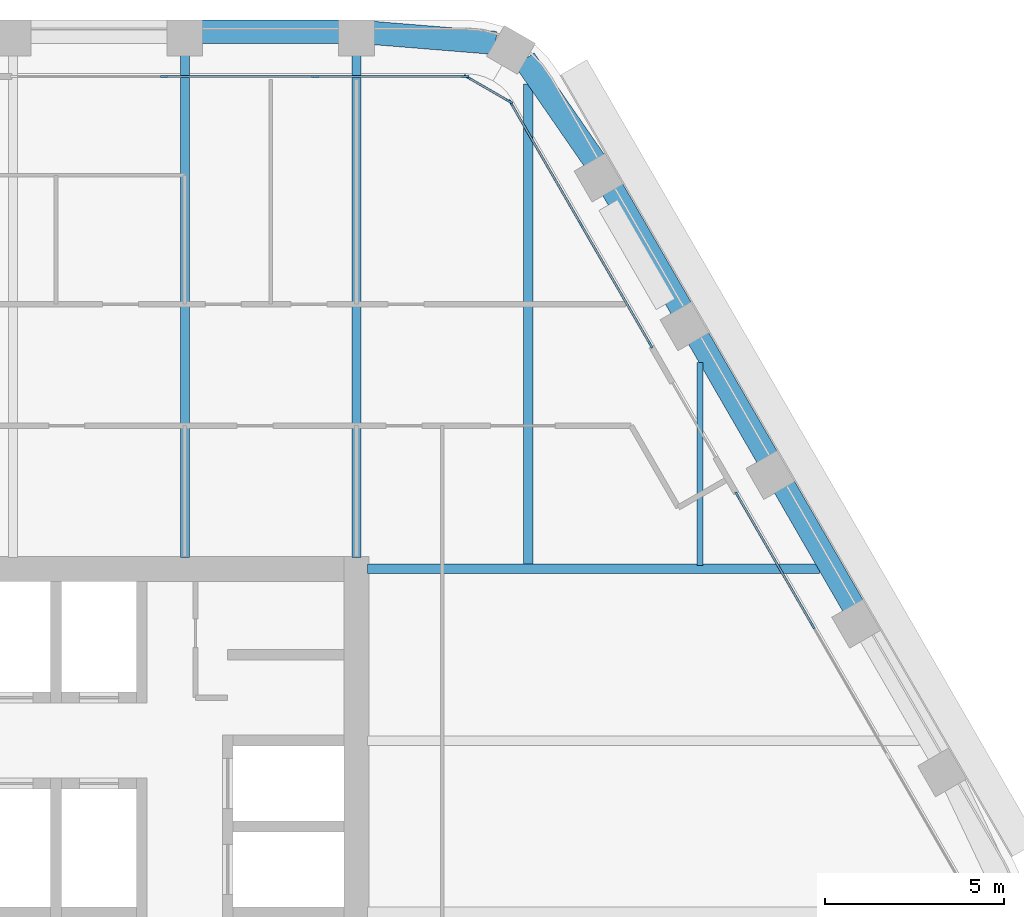
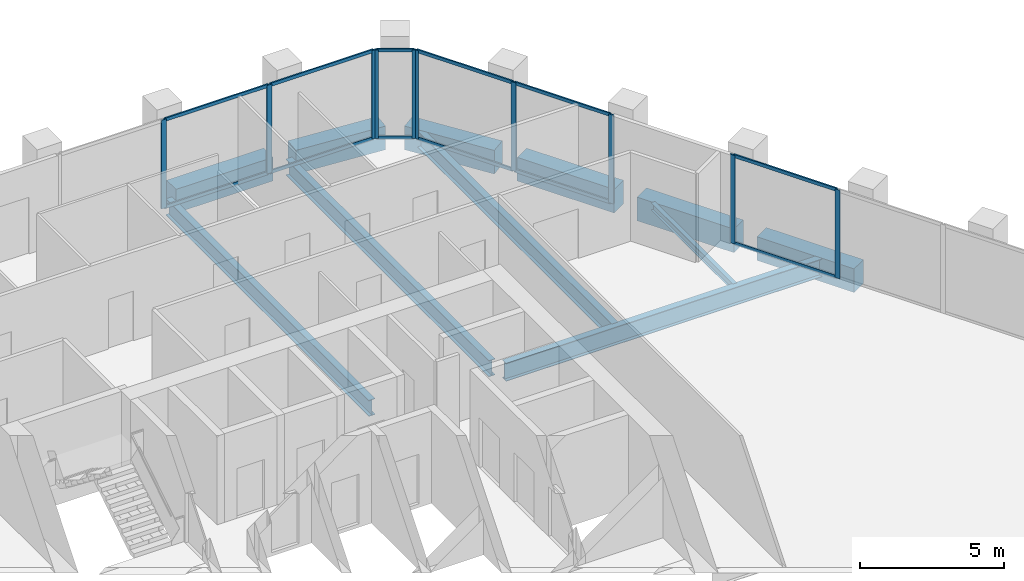
# One storey, part 6 of 15: 22 members, 11 beams, 4 elements without a shape of their own.
"""IFC4 building model written with IfcOpenShell, lengths in metres."""

from ifc_helpers import new_model, si_unit, direction, frame, origin, origin_2d, place, context, subcontext, project, spatial, rectangle, i_section, extrude, material, material_profile, profile_set, type_object, element, aggregate, save


model = new_model("IFC4")

# Units and contexts
model_context = context("Model", 3, precision=1e-05, world=origin(), true_north=direction((0.0, 1.0)))
body_context = subcontext(model_context, "Body", "Model", "MODEL_VIEW")
ifc_project = project(units=[si_unit("LENGTHUNIT", "METRE"), si_unit("AREAUNIT", "SQUARE_METRE"), si_unit("VOLUMEUNIT", "CUBIC_METRE"), si_unit("PLANEANGLEUNIT", "RADIAN"), si_unit("MASSUNIT", "GRAM", prefix="KILO")], contexts=[model_context])

# Site, building, storey
site_placement = place(None, origin())
site = spatial("IfcSite", under=ifc_project, at=site_placement, CompositionType="ELEMENT")
building_placement = place(site_placement, origin())
building = spatial("IfcBuilding", under=site, at=building_placement, Name="Kolab Exchange Tower", CompositionType="ELEMENT")
storey_placement = place(building_placement, frame((0.0, 0.0, 173.89990234375)))
storey = spatial("IfcBuildingStorey", under=building, at=storey_placement, Name="L36", CompositionType="ELEMENT", Elevation=173.89990234375)

# Beams
ifc_material_1 = material(Name="Steel S355", Category="steel")
ifc_material_profile_1 = material_profile(ifc_material_1, i_section(OverallWidth=0.1650390625, OverallDepth=0.31005859375, WebThickness=0.005859375, FlangeThickness=0.009765625, at=origin_2d()), Name="W310X39")
ifc_profile_set_1 = profile_set([ifc_material_profile_1], Name="Steel S355")
beam_type_1 = type_object("IfcBeamType", Name="FLOOR BEAM W310X39", PredefinedType="BEAM", material=ifc_profile_set_1)
beam_1_placement = place(storey_placement, frame((19.199951171875, 9.693603515625, -0.304931640625), z_axis=(0.0, 1.0, 0.0), x_axis=(-1.0, 0.0, 0.0)))
element("IfcBeam", 1, at=beam_1_placement, inside=storey, type_object=beam_type_1, Name="beam/L36/fr/023", PredefinedType="BEAM", context=body_context, shape_type="SweptSolid", body=[
    extrude(i_section(OverallWidth=0.1650390625, OverallDepth=0.31005859375, WebThickness=0.005859375, FlangeThickness=0.009765625, at=origin_2d()), origin(), (0.0, 0.0, 1.0), 5.674072265625),
])
ifc_material_profile_2 = material_profile(ifc_material_1, i_section(OverallWidth=0.25390625, OverallDepth=0.68408203125, WebThickness=0.012451171875, FlangeThickness=0.018798828125, at=origin_2d()), Name="W690X140")
ifc_profile_set_2 = profile_set([ifc_material_profile_2], Name="Steel S355")
beam_type_2 = type_object("IfcBeamType", Name="FLOOR BEAM W690X140", PredefinedType="BEAM", material=ifc_profile_set_2)
for number, where, z_axis, x_axis, name in (
    (2, (4.800048828125, 9.909912109375, -0.491943359375), (0.0, 1.0, 0.0), (-1.0, 0.0, 0.0), "beam/L36/fr/014"),
    (3, (9.60009765625, 9.909912109375, -0.491943359375), (0.0, 1.0, 0.0), (-1.0, 0.0, 0.0), "beam/L36/fr/016"),
):
    element("IfcBeam", number, at=place(storey_placement, frame(where, z_axis=z_axis, x_axis=x_axis)), inside=storey, type_object=beam_type_2, Name=name, PredefinedType="BEAM", context=body_context, shape_type="SweptSolid", body=[
        extrude(i_section(OverallWidth=0.25390625, OverallDepth=0.68408203125, WebThickness=0.012451171875, FlangeThickness=0.018798828125, at=origin_2d()), origin(), (0.0, 0.0, 1.0), 14.071533203125),
    ])
beam_2_placement = place(storey_placement, frame((14.39990234375, 9.693603515625, -0.491943359375), z_axis=(0.0, 1.0, 0.0), x_axis=(-1.0, 0.0, 0.0)))
element("IfcBeam", 4, at=beam_2_placement, inside=storey, type_object=beam_type_2, Name="beam/L36/fr/021", PredefinedType="BEAM", context=body_context, shape_type="SweptSolid", body=[
    extrude(i_section(OverallWidth=0.25390625, OverallDepth=0.68408203125, WebThickness=0.012451171875, FlangeThickness=0.018798828125, at=origin_2d()), origin(), (0.0, 0.0, 1.0), 13.462158203125),
])
ifc_material_profile_3 = material_profile(ifc_material_1, i_section(OverallWidth=0.26708984375, OverallDepth=0.761962890625, WebThickness=0.014404296875, FlangeThickness=0.021484375, at=origin_2d()), Name="W760X173")
ifc_profile_set_3 = profile_set([ifc_material_profile_3], Name="Steel S355")
beam_type_3 = type_object("IfcBeamType", Name="FLOOR GIRDER W760X173", PredefinedType="BEAM", material=ifc_profile_set_3)
beam_3_placement = place(storey_placement, frame((9.909912109375, 9.60009765625, -0.531005859375), z_axis=(1.0, 0.0, 0.0), x_axis=(0.0, 1.0, 0.0)))
element("IfcBeam", 5, at=beam_3_placement, inside=storey, type_object=beam_type_3, Name="beam/L36/gd/003", PredefinedType="BEAM", context=body_context, shape_type="SweptSolid", body=[
    extrude(i_section(OverallWidth=0.26708984375, OverallDepth=0.761962890625, WebThickness=0.014404296875, FlangeThickness=0.021484375, at=origin_2d()), origin(), (0.0, 0.0, 1.0), 12.636962890625),
])
ifc_material_2 = material(Name="Concrete C60/75", Category="concrete")
ifc_material_profile_4 = material_profile(ifc_material_2, rectangle(XDim=0.64990234375, YDim=1.0, at=origin_2d()), Name="RC650X1000")
ifc_profile_set_4 = profile_set([ifc_material_profile_4], Name="Concrete C60/75")
beam_type_4 = type_object("IfcBeamType", Name="SPANDREL BEAM 650X1000 C60/75", PredefinedType="BEAM", material=ifc_profile_set_4)
beam_4_placement = place(storey_placement, frame((5.260009765625, 24.616455078125, -0.64990234375), z_axis=(1.0, 0.0, 0.0), x_axis=(0.0, 1.0, 0.0)))
element("IfcBeam", 6, at=beam_4_placement, inside=storey, type_object=beam_type_4, Name="beam/L36/sp/F1-05", PredefinedType="BEAM", context=body_context, shape_type="SweptSolid", body=[
    extrude(rectangle(XDim=0.64990234375, YDim=1.0, at=origin_2d()), origin(), (0.0, 0.0, 1.0), 3.8798828125),
])
for number, where, z_axis, x_axis, name in (
    (7, (10.06005859375, 24.5791015625, -0.64990234375), (0.996708497182, -0.081068931445, 0.0), (0.081068931445, 0.996708497182, 0.0), "beam/L36/sp/F1-06"),
    (8, (14.29736328125, 23.8359375, -0.64990234375), (0.568572281073, -0.822633309073, 0.0), (0.822633309073, 0.568572281073, 0.0), "beam/L36/sp/F2-01"),
):
    element("IfcBeam", number, at=place(storey_placement, frame(where, z_axis=z_axis, x_axis=x_axis)), inside=storey, type_object=beam_type_4, Name=name, PredefinedType="BEAM", context=body_context, shape_type="SweptSolid", body=[
        extrude(rectangle(XDim=0.64990234375, YDim=1.0, at=origin_2d()), origin(), (0.0, 0.0, 1.0), 3.445068359375),
    ])
beam_5_placement = place(storey_placement, frame((16.74853515625, 20.2236328125, -0.64990234375), z_axis=(0.499996613652, -0.866027358884, 0.0), x_axis=(0.866027358884, 0.499996613652, 0.0)))
element("IfcBeam", 9, at=beam_5_placement, inside=storey, type_object=beam_type_4, Name="beam/L36/sp/F2-02", PredefinedType="BEAM", context=body_context, shape_type="SweptSolid", body=[
    extrude(rectangle(XDim=0.64990234375, YDim=1.0, at=origin_2d()), origin(), (0.0, 0.0, 1.0), 3.8798828125),
])
beam_6_placement = place(storey_placement, frame((19.1484375, 16.06689453125, -0.64990234375), z_axis=(0.50001655835, -0.866015843605, 0.0), x_axis=(0.866015843605, 0.50001655835, 0.0)))
element("IfcBeam", 10, at=beam_6_placement, inside=storey, type_object=beam_type_4, Name="beam/L36/sp/F2-03", PredefinedType="BEAM", context=body_context, shape_type="SweptSolid", body=[
    extrude(rectangle(XDim=0.64990234375, YDim=1.0, at=origin_2d()), origin(), (0.0, 0.0, 1.0), 3.880126953125),
])
beam_7_placement = place(storey_placement, frame((21.548583984375, 11.909912109375, -0.64990234375), z_axis=(0.499996613652, -0.866027358884, 0.0), x_axis=(0.866027358884, 0.499996613652, 0.0)))
element("IfcBeam", 11, at=beam_7_placement, inside=storey, type_object=beam_type_4, Name="beam/L36/sp/F2-04", PredefinedType="BEAM", context=body_context, shape_type="SweptSolid", body=[
    extrude(rectangle(XDim=0.64990234375, YDim=1.0, at=origin_2d()), origin(), (0.0, 0.0, 1.0), 3.8798828125),
])

# Curtain wall, members
ifc_material_3 = material(Name="Aluminium EN AW-6063 T6", Category="aluminium")
curtain_wall_type = type_object("IfcCurtainWallType", Name="UNITISED UPPER MID ZONE CURTAIN WALL", PredefinedType="NOTDEFINED", material=ifc_material_3)
curtain_wall_1_placement = place(storey_placement, origin())
curtain_wall_1 = element("IfcCurtainWall", 12, at=curtain_wall_1_placement, inside=storey, type_object=curtain_wall_type, Name="cw/L36/F1-2", PredefinedType="NOTDEFINED")
ifc_material_profile_5 = material_profile(ifc_material_3, rectangle(XDim=0.06005859375, YDim=0.199951171875, at=origin_2d()), Name="RECT 60X200")
ifc_profile_set_5 = profile_set([ifc_material_profile_5], Name="Aluminium EN AW-6063 T6")
member_type_1 = type_object("IfcMemberType", Name="UNITISED UPPER MID ZONE MULLION 60 X 200", PredefinedType="MULLION", material=ifc_profile_set_5)
member_1_placement = place(storey_placement, frame((4.22265625, 23.361572265625, 0.0), z_axis=(0.0, 0.0, 1.0), x_axis=(0.0, 1.0, 0.0)))
member_1 = element("IfcMember", 13, at=member_1_placement, type_object=member_type_1, Name="CW3 mullion 2", PredefinedType="MULLION", context=body_context, shape_type="SweptSolid", body=[
    extrude(rectangle(XDim=0.06005859375, YDim=0.199951171875, at=origin_2d()), origin(), (0.0, 0.0, 1.0), 3.75),
])
member_2_placement = place(storey_placement, frame((8.4453125, 23.361572265625, 0.0), z_axis=(0.0, 0.0, 1.0), x_axis=(0.0, 1.0, 0.0)))
member_2 = element("IfcMember", 14, at=member_2_placement, type_object=member_type_1, Name="CW3 mullion 3", PredefinedType="MULLION", context=body_context, shape_type="SweptSolid", body=[
    extrude(rectangle(XDim=0.06005859375, YDim=0.199951171875, at=origin_2d()), origin(), (0.0, 0.0, 1.0), 3.75),
])
member_3_placement = place(storey_placement, frame((12.637939453125, 23.361572265625, 0.0), z_axis=(0.0, 0.0, 1.0), x_axis=(0.0, 1.0, 0.0)))
member_3 = element("IfcMember", 15, at=member_3_placement, type_object=member_type_1, Name="CW3 mullion 4", PredefinedType="MULLION", context=body_context, shape_type="SweptSolid", body=[
    extrude(rectangle(XDim=0.06005859375, YDim=0.199951171875, at=origin_2d()), origin(), (0.0, 0.0, 1.0), 3.75),
])

curtain_wall_2_placement = place(storey_placement, origin())
curtain_wall_2 = element("IfcCurtainWall", 16, at=curtain_wall_2_placement, inside=storey, type_object=curtain_wall_type, Name="cw/L36/F2-1", PredefinedType="NOTDEFINED")
member_4_placement = place(storey_placement, frame((13.91259765625, 22.62548828125, 0.0), z_axis=(0.0, 0.0, 1.0), x_axis=(0.866025385493, 0.500000031681, 0.0)))
member_4 = element("IfcMember", 17, at=member_4_placement, type_object=member_type_1, Name="CW3 mullion 1", PredefinedType="MULLION", context=body_context, shape_type="SweptSolid", body=[
    extrude(rectangle(XDim=0.06005859375, YDim=0.199951171875, at=origin_2d()), origin(), (0.0, 0.0, 1.0), 3.75),
])
member_5_placement = place(storey_placement, frame((15.86474609375, 19.24462890625, 0.0), z_axis=(0.0, 0.0, 1.0), x_axis=(0.866025385493, 0.500000031681, 0.0)))
member_5 = element("IfcMember", 18, at=member_5_placement, type_object=member_type_1, Name="CW3 mullion 2", PredefinedType="MULLION", context=body_context, shape_type="SweptSolid", body=[
    extrude(rectangle(XDim=0.06005859375, YDim=0.199951171875, at=origin_2d()), origin(), (0.0, 0.0, 1.0), 3.75),
])
member_6_placement = place(storey_placement, frame((17.816650390625, 15.86376953125, 0.0), z_axis=(0.0, 0.0, 1.0), x_axis=(0.866025385493, 0.500000031681, 0.0)))
member_6 = element("IfcMember", 19, at=member_6_placement, type_object=member_type_1, Name="CW3 mullion 3", PredefinedType="MULLION", context=body_context, shape_type="SweptSolid", body=[
    extrude(rectangle(XDim=0.06005859375, YDim=0.199951171875, at=origin_2d()), origin(), (0.0, 0.0, 1.0), 3.75),
])

curtain_wall_3_placement = place(storey_placement, origin())
curtain_wall_3 = element("IfcCurtainWall", 20, at=curtain_wall_3_placement, inside=storey, type_object=curtain_wall_type, Name="cw/L36/F2-2", PredefinedType="NOTDEFINED")
member_7_placement = place(storey_placement, frame((20.24658203125, 11.65478515625, 0.0), z_axis=(0.0, 0.0, 1.0), x_axis=(0.866025427826, 0.499999958358, 0.0)))
member_7 = element("IfcMember", 21, at=member_7_placement, type_object=member_type_1, Name="CW3 mullion 1", PredefinedType="MULLION", context=body_context, shape_type="SweptSolid", body=[
    extrude(rectangle(XDim=0.06005859375, YDim=0.199951171875, at=origin_2d()), origin(), (0.0, 0.0, 1.0), 3.75),
])
member_8_placement = place(storey_placement, frame((22.343017578125, 8.02392578125, 0.0), z_axis=(0.0, 0.0, 1.0), x_axis=(0.866025427826, 0.499999958358, 0.0)))
member_8 = element("IfcMember", 22, at=member_8_placement, type_object=member_type_1, Name="CW3 mullion 2", PredefinedType="MULLION", context=body_context, shape_type="SweptSolid", body=[
    extrude(rectangle(XDim=0.06005859375, YDim=0.199951171875, at=origin_2d()), origin(), (0.0, 0.0, 1.0), 3.75),
])

curtain_wall_4_placement = place(storey_placement, origin())
curtain_wall_4 = element("IfcCurtainWall", 23, at=curtain_wall_4_placement, inside=storey, type_object=curtain_wall_type, Name="cw/L36/F1F2-corner", PredefinedType="NOTDEFINED")
member_9_placement = place(storey_placement, frame((12.69384765625, 23.346435546875, 0.0), z_axis=(0.0, 0.0, 1.0), x_axis=(0.50000002237, 0.866025390869, 0.0)))
member_9 = element("IfcMember", 24, at=member_9_placement, type_object=member_type_1, Name="CW3 mullion 1", PredefinedType="MULLION", context=body_context, shape_type="SweptSolid", body=[
    extrude(rectangle(XDim=0.06005859375, YDim=0.199951171875, at=origin_2d()), origin(), (0.0, 0.0, 1.0), 3.75),
])
member_10_placement = place(storey_placement, frame((13.871826171875, 22.66650390625, 0.0), z_axis=(0.0, 0.0, 1.0), x_axis=(0.50000002237, 0.866025390869, 0.0)))
member_10 = element("IfcMember", 25, at=member_10_placement, type_object=member_type_1, Name="CW3 mullion 2", PredefinedType="MULLION", context=body_context, shape_type="SweptSolid", body=[
    extrude(rectangle(XDim=0.06005859375, YDim=0.199951171875, at=origin_2d()), origin(), (0.0, 0.0, 1.0), 3.75),
])

# Member
ifc_material_profile_6 = material_profile(ifc_material_3, rectangle(XDim=0.06005859375, YDim=0.139892578125, at=origin_2d()), Name="RECT 60X140")
ifc_profile_set_6 = profile_set([ifc_material_profile_6], Name="Aluminium EN AW-6063 T6")
member_type_2 = type_object("IfcMemberType", Name="UNITISED UPPER MID ZONE TRANSOM 60 X 140", PredefinedType="USERDEFINED", material=ifc_profile_set_6)
member_11_placement = place(storey_placement, frame((4.252685546875, 23.361572265625, 0.030029296875), z_axis=(1.0, 0.0, 0.0), x_axis=(0.0, 1.0, 0.0)))
member_11 = element("IfcMember", 26, at=member_11_placement, type_object=member_type_2, Name="CW3 transom 2.1", ObjectType="TRANSOM", PredefinedType="USERDEFINED", context=body_context, shape_type="SweptSolid", body=[
    extrude(rectangle(XDim=0.06005859375, YDim=0.139892578125, at=origin_2d()), origin(), (0.0, 0.0, 1.0), 4.16259765625),
])

member_12_placement = place(storey_placement, frame((4.252685546875, 23.361572265625, 3.72021484375), z_axis=(1.0, 0.0, 0.0), x_axis=(0.0, 1.0, 0.0)))
member_12 = element("IfcMember", 27, at=member_12_placement, type_object=member_type_2, Name="CW3 transom 2.2", ObjectType="TRANSOM", PredefinedType="USERDEFINED", context=body_context, shape_type="SweptSolid", body=[
    extrude(rectangle(XDim=0.06005859375, YDim=0.139892578125, at=origin_2d()), origin(), (0.0, 0.0, 1.0), 4.16259765625),
])

member_13_placement = place(storey_placement, frame((8.475341796875, 23.361572265625, 0.030029296875), z_axis=(1.0, 0.0, 0.0), x_axis=(0.0, 1.0, 0.0)))
member_13 = element("IfcMember", 28, at=member_13_placement, type_object=member_type_2, Name="CW3 transom 3.1", ObjectType="TRANSOM", PredefinedType="USERDEFINED", context=body_context, shape_type="SweptSolid", body=[
    extrude(rectangle(XDim=0.06005859375, YDim=0.139892578125, at=origin_2d()), origin(), (0.0, 0.0, 1.0), 4.132568359375),
])

member_14_placement = place(storey_placement, frame((8.475341796875, 23.361572265625, 3.72021484375), z_axis=(1.0, 0.0, 0.0), x_axis=(0.0, 1.0, 0.0)))
member_14 = element("IfcMember", 29, at=member_14_placement, type_object=member_type_2, Name="CW3 transom 3.2", ObjectType="TRANSOM", PredefinedType="USERDEFINED", context=body_context, shape_type="SweptSolid", body=[
    extrude(rectangle(XDim=0.06005859375, YDim=0.139892578125, at=origin_2d()), origin(), (0.0, 0.0, 1.0), 4.132568359375),
])

aggregate(curtain_wall_1, [member_1, member_2, member_3, member_11, member_12, member_13, member_14])

member_15_placement = place(storey_placement, frame((13.927734375, 22.599609375, 0.030029296875), z_axis=(0.499964356602, -0.866045981532, 0.0), x_axis=(0.866045981532, 0.499964356602, 0.0)))
member_15 = element("IfcMember", 30, at=member_15_placement, type_object=member_type_2, Name="CW3 transom 1.1", ObjectType="TRANSOM", PredefinedType="USERDEFINED", context=body_context, shape_type="SweptSolid", body=[
    extrude(rectangle(XDim=0.06005859375, YDim=0.139892578125, at=origin_2d()), origin(), (0.0, 0.0, 1.0), 3.843994140625),
])

member_16_placement = place(storey_placement, frame((13.927734375, 22.599609375, 3.72021484375), z_axis=(0.499964356602, -0.866045981532, 0.0), x_axis=(0.866045981532, 0.499964356602, 0.0)))
member_16 = element("IfcMember", 31, at=member_16_placement, type_object=member_type_2, Name="CW3 transom 1.2", ObjectType="TRANSOM", PredefinedType="USERDEFINED", context=body_context, shape_type="SweptSolid", body=[
    extrude(rectangle(XDim=0.06005859375, YDim=0.139892578125, at=origin_2d()), origin(), (0.0, 0.0, 1.0), 3.843994140625),
])

member_17_placement = place(storey_placement, frame((15.879638671875, 19.21875, 0.030029296875), z_axis=(0.500011990396, -0.866018481016, 0.0), x_axis=(0.866018481016, 0.500011990396, 0.0)))
member_17 = element("IfcMember", 32, at=member_17_placement, type_object=member_type_2, Name="CW3 transom 2.1", ObjectType="TRANSOM", PredefinedType="USERDEFINED", context=body_context, shape_type="SweptSolid", body=[
    extrude(rectangle(XDim=0.06005859375, YDim=0.139892578125, at=origin_2d()), origin(), (0.0, 0.0, 1.0), 3.84423828125),
])

member_18_placement = place(storey_placement, frame((15.879638671875, 19.21875, 3.72021484375), z_axis=(0.500011990396, -0.866018481016, 0.0), x_axis=(0.866018481016, 0.500011990396, 0.0)))
member_18 = element("IfcMember", 33, at=member_18_placement, type_object=member_type_2, Name="CW3 transom 2.2", ObjectType="TRANSOM", PredefinedType="USERDEFINED", context=body_context, shape_type="SweptSolid", body=[
    extrude(rectangle(XDim=0.06005859375, YDim=0.139892578125, at=origin_2d()), origin(), (0.0, 0.0, 1.0), 3.84423828125),
])

aggregate(curtain_wall_2, [member_4, member_5, member_6, member_15, member_16, member_17, member_18])

member_19_placement = place(storey_placement, frame((20.26171875, 11.62890625, 0.030029296875), z_axis=(0.500001996123, -0.866024251319, 0.0), x_axis=(0.866024251319, 0.500001996123, 0.0)))
member_19 = element("IfcMember", 34, at=member_19_placement, type_object=member_type_2, Name="CW3 transom 1.1", ObjectType="TRANSOM", PredefinedType="USERDEFINED", context=body_context, shape_type="SweptSolid", body=[
    extrude(rectangle(XDim=0.06005859375, YDim=0.139892578125, at=origin_2d()), origin(), (0.0, 0.0, 1.0), 4.1328125),
])

member_20_placement = place(storey_placement, frame((20.26171875, 11.62890625, 3.72021484375), z_axis=(0.500001996123, -0.866024251319, 0.0), x_axis=(0.866024251319, 0.500001996123, 0.0)))
member_20 = element("IfcMember", 35, at=member_20_placement, type_object=member_type_2, Name="CW3 transom 1.2", ObjectType="TRANSOM", PredefinedType="USERDEFINED", context=body_context, shape_type="SweptSolid", body=[
    extrude(rectangle(XDim=0.06005859375, YDim=0.139892578125, at=origin_2d()), origin(), (0.0, 0.0, 1.0), 4.1328125),
])

aggregate(curtain_wall_3, [member_7, member_8, member_19, member_20])

member_21_placement = place(storey_placement, frame((12.719970703125, 23.33154296875, 0.030029296875), z_axis=(0.86603858612, -0.49997716683, 0.0), x_axis=(0.49997716683, 0.86603858612, 0.0)))
member_21 = element("IfcMember", 36, at=member_21_placement, type_object=member_type_2, Name="CW3 transom 1.1", ObjectType="TRANSOM", PredefinedType="USERDEFINED", context=body_context, shape_type="SweptSolid", body=[
    extrude(rectangle(XDim=0.06005859375, YDim=0.139892578125, at=origin_2d()), origin(), (0.0, 0.0, 1.0), 1.2998046875),
])

member_22_placement = place(storey_placement, frame((12.719970703125, 23.33154296875, 3.72021484375), z_axis=(0.86603858612, -0.49997716683, 0.0), x_axis=(0.49997716683, 0.86603858612, 0.0)))
member_22 = element("IfcMember", 37, at=member_22_placement, type_object=member_type_2, Name="CW3 transom 1.2", ObjectType="TRANSOM", PredefinedType="USERDEFINED", context=body_context, shape_type="SweptSolid", body=[
    extrude(rectangle(XDim=0.06005859375, YDim=0.139892578125, at=origin_2d()), origin(), (0.0, 0.0, 1.0), 1.2998046875),
])

aggregate(curtain_wall_4, [member_9, member_10, member_21, member_22])

save(model, "model.ifc")
